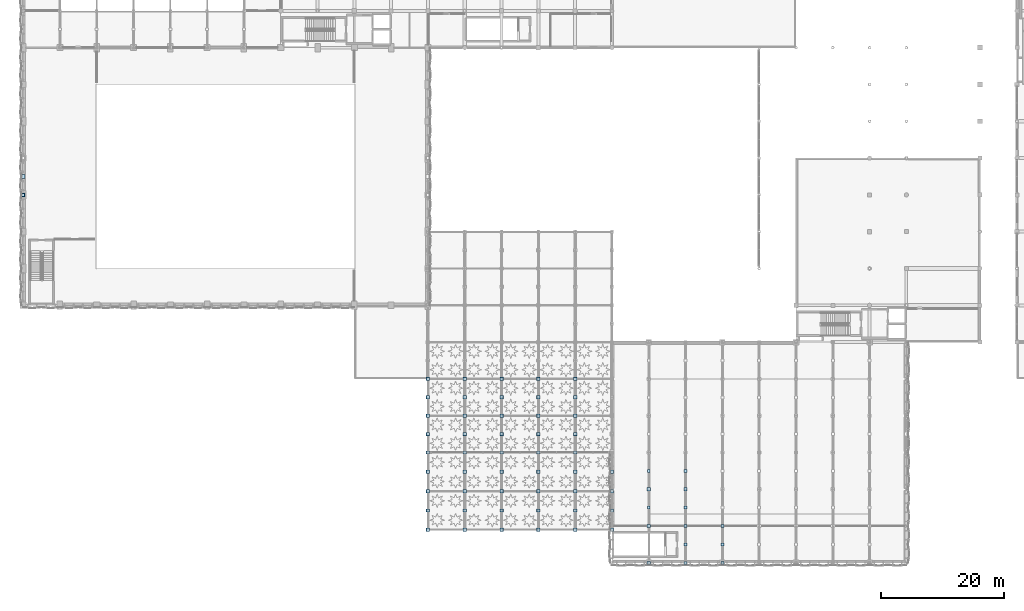
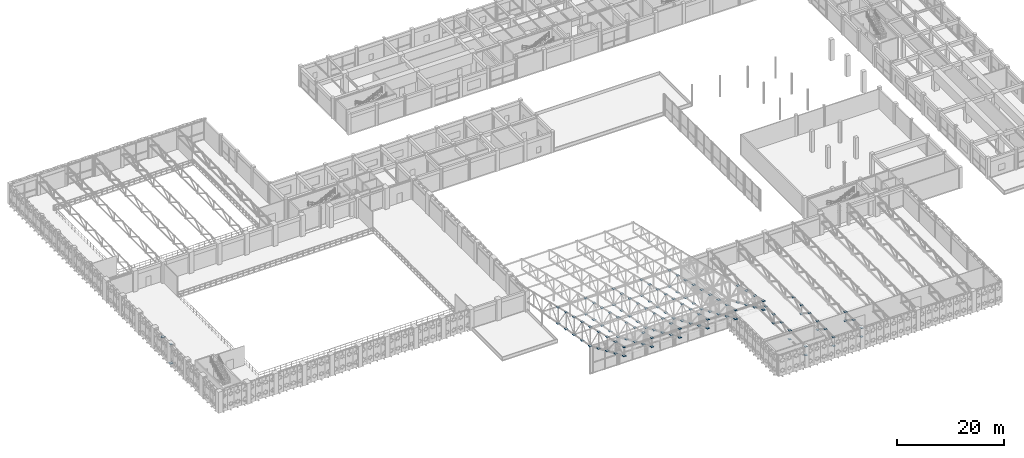
# One storey, part 91 of 123: 123 plates.
"""IFC4 building model written with IfcOpenShell, lengths in metres."""

from ifc_helpers import new_model, si_unit, direction, frame, origin, origin_2d, place, context, subcontext, project, spatial, rectangle, extrude, material, layer, layer_set, type_object, element, save


model = new_model("IFC4")

# Units and contexts
model_context = context("Model", 3, precision=1e-05, world=origin(), true_north=direction((0.0, 1.0)))
body_context = subcontext(model_context, "Body", "Model", "MODEL_VIEW")
ifc_project = project(units=[si_unit("LENGTHUNIT", "METRE"), si_unit("AREAUNIT", "SQUARE_METRE"), si_unit("VOLUMEUNIT", "CUBIC_METRE"), si_unit("PLANEANGLEUNIT", "RADIAN"), si_unit("MASSUNIT", "GRAM", prefix="KILO"), si_unit("THERMODYNAMICTEMPERATUREUNIT", "KELVIN"), si_unit("POWERUNIT", "WATT")], contexts=[model_context])

# Site, building, storey
site_placement = place(None, origin())
site = spatial("IfcSite", under=ifc_project, at=site_placement, CompositionType="ELEMENT")
building_placement = place(site_placement, origin())
building = spatial("IfcBuilding", under=site, at=building_placement, Name="Phaisarnlok Congress Hotel", CompositionType="ELEMENT")
storey_placement = place(building_placement, frame((0.0, 0.0, 15.0)))
storey = spatial("IfcBuildingStorey", under=building, at=storey_placement, Name="L03", CompositionType="ELEMENT", Elevation=15.0)

# Plates
ifc_material = material(Name="Steel S355", Category="steel")
ifc_layer_1 = layer(ifc_material, 0.01611328125, Name="Steel S355")
ifc_layer_set_1 = layer_set([ifc_layer_1], Name="Steel S355")
plate_type_1 = type_object("IfcPlateType", Name="PLT-GUS-650", PredefinedType="SHEET", material=ifc_layer_set_1)
for number, where, z_axis, x_axis, name in (
    (1, (0.0, 60.0, 0.141845703125), (0.0, 0.0, 1.0), (1.0, 0.0, 0.0), "Steel truss node plate NP-05 at NP-BF-A-L03-A"),
    (2, (0.0, 63.0, 4.322021484375), (0.0, 0.0, 1.0), (1.0, 0.0, 0.0), "Steel truss node plate NP-05 at NP-BF-A-L03-M"),
):
    element("IfcPlate", number, at=place(storey_placement, frame(where, z_axis=z_axis, x_axis=x_axis)), inside=storey, type_object=plate_type_1, Name=name, PredefinedType="SHEET", context=body_context, shape_type="SweptSolid", body=[
        extrude(rectangle(XDim=0.64990234375, YDim=0.64990234375, at=origin_2d()), origin(), (0.0, 0.0, 1.0), 0.01611328125),
    ])
ifc_layer_2 = layer(ifc_material, 0.02001953125, Name="Steel S355")
ifc_layer_set_2 = layer_set([ifc_layer_2], Name="Steel S355")
plate_type_2 = type_object("IfcPlateType", Name="PLT-NODE-480", PredefinedType="SHEET", material=ifc_layer_set_2)
for number, where, z_axis, x_axis, name in (
    (3, (102.0, 9.0, 4.619873046875), (0.0, 0.0, 1.0), (1.0, 0.0, 0.0), "Steel truss node plate NP-03 at NP-V2M-102-1"),
    (4, (102.0, 15.0, 4.619873046875), (0.0, 0.0, 1.0), (1.0, 0.0, 0.0), "Steel truss node plate NP-03 at NP-V2M-102-2"),
    (5, (108.0, 3.0, 4.619873046875), (0.0, 0.0, 1.0), (1.0, 0.0, 0.0), "Steel truss node plate NP-03 at NP-V2M-108-0"),
    (6, (108.0, 9.0, 4.619873046875), (0.0, 0.0, 1.0), (1.0, 0.0, 0.0), "Steel truss node plate NP-03 at NP-V2M-108-1"),
    (7, (108.0, 15.0, 4.619873046875), (0.0, 0.0, 1.0), (1.0, 0.0, 0.0), "Steel truss node plate NP-03 at NP-V2M-108-2"),
    (8, (114.0, 3.0, 4.619873046875), (0.0, 0.0, 1.0), (1.0, 0.0, 0.0), "Steel truss node plate NP-03 at NP-V2M-114-0"),
    (9, (0.0, 60.0, 4.43994140625), (0.0, 0.0, 1.0), (1.0, 0.0, 0.0), "Steel truss node plate NP-03 at NP-BF-A-L03-T1"),
):
    element("IfcPlate", number, at=place(storey_placement, frame(where, z_axis=z_axis, x_axis=x_axis)), inside=storey, type_object=plate_type_2, Name=name, PredefinedType="SHEET", context=body_context, shape_type="SweptSolid", body=[
        extrude(rectangle(XDim=0.47998046875, YDim=0.47998046875, at=origin_2d()), origin(), (0.0, 0.0, 1.0), 0.02001953125),
    ])
ifc_layer_3 = layer(ifc_material, 0.02490234375, Name="Steel S355")
ifc_layer_set_3 = layer_set([ifc_layer_3], Name="Steel S355")
plate_type_3 = type_object("IfcPlateType", Name="PLT-NODE-520", PredefinedType="SHEET", material=ifc_layer_set_3)
for number, where, z_axis, x_axis, name in (
    (10, (102.0, 0.0, 4.617431640625), (0.0, 0.0, 1.0), (1.0, 0.0, 0.0), "Steel truss node plate NP-02 at NP-V2T-102-0"),
    (11, (102.0, 0.0, 2.637451171875), (0.0, 0.0, 1.0), (1.0, 0.0, 0.0), "Steel truss node plate NP-02 at NP-V2B-102-0"),
    (12, (102.0, 6.0, 4.617431640625), (0.0, 0.0, 1.0), (1.0, 0.0, 0.0), "Steel truss node plate NP-02 at NP-V2T-102-1"),
    (13, (102.0, 6.0, 2.637451171875), (0.0, 0.0, 1.0), (1.0, 0.0, 0.0), "Steel truss node plate NP-02 at NP-V2B-102-1"),
    (14, (102.0, 12.0, 4.617431640625), (0.0, 0.0, 1.0), (1.0, 0.0, 0.0), "Steel truss node plate NP-02 at NP-V2T-102-2"),
    (15, (102.0, 12.0, 2.637451171875), (0.0, 0.0, 1.0), (1.0, 0.0, 0.0), "Steel truss node plate NP-02 at NP-V2B-102-2"),
    (16, (108.0, 0.0, 4.617431640625), (0.0, 0.0, 1.0), (1.0, 0.0, 0.0), "Steel truss node plate NP-02 at NP-V2T-108-0"),
    (17, (108.0, 0.0, 2.637451171875), (0.0, 0.0, 1.0), (1.0, 0.0, 0.0), "Steel truss node plate NP-02 at NP-V2B-108-0"),
    (18, (108.0, 6.0, 4.617431640625), (0.0, 0.0, 1.0), (1.0, 0.0, 0.0), "Steel truss node plate NP-02 at NP-V2T-108-1"),
    (19, (108.0, 6.0, 2.637451171875), (0.0, 0.0, 1.0), (1.0, 0.0, 0.0), "Steel truss node plate NP-02 at NP-V2B-108-1"),
    (20, (108.0, 12.0, 4.617431640625), (0.0, 0.0, 1.0), (1.0, 0.0, 0.0), "Steel truss node plate NP-02 at NP-V2T-108-2"),
    (21, (108.0, 12.0, 2.637451171875), (0.0, 0.0, 1.0), (1.0, 0.0, 0.0), "Steel truss node plate NP-02 at NP-V2B-108-2"),
    (22, (114.0, 0.0, 4.617431640625), (0.0, 0.0, 1.0), (1.0, 0.0, 0.0), "Steel truss node plate NP-02 at NP-V2T-114-0"),
    (23, (114.0, 0.0, 2.637451171875), (0.0, 0.0, 1.0), (1.0, 0.0, 0.0), "Steel truss node plate NP-02 at NP-V2B-114-0"),
    (24, (114.0, 6.0, 4.617431640625), (0.0, 0.0, 1.0), (1.0, 0.0, 0.0), "Steel truss node plate NP-02 at NP-V2T-114-1"),
    (25, (114.0, 6.0, 2.637451171875), (0.0, 0.0, 1.0), (1.0, 0.0, 0.0), "Steel truss node plate NP-02 at NP-V2B-114-1"),
    (26, (66.0, 30.0, 7.916015625), (0.0, 0.0, 1.0), (1.0, 0.0, 0.0), "Steel truss node plate NP-02 at NP-WRS-T-0-08"),
    (27, (66.0, 27.0, 8.632080078125), (0.0, 0.0, 1.0), (1.0, 0.0, 0.0), "Steel truss node plate NP-02 at NP-WRS-T-0-09"),
    (28, (66.0, 24.0, 9.34814453125), (0.0, 0.0, 1.0), (1.0, 0.0, 0.0), "Steel truss node plate NP-02 at NP-WRS-T-0-10"),
    (29, (66.0, 21.0, 10.064208984375), (0.0, 0.0, 1.0), (1.0, 0.0, 0.0), "Steel truss node plate NP-02 at NP-WRS-T-0-11"),
    (30, (66.0, 18.0, 10.780029296875), (0.0, 0.0, 1.0), (1.0, 0.0, 0.0), "Steel truss node plate NP-02 at NP-WRS-T-0-12"),
    (31, (66.0, 14.85009765625, 11.531982421875), (0.0, 0.0, 1.0), (1.0, 0.0, 0.0), "Steel truss node plate NP-02 at NP-WRS-T-0-13"),
    (32, (66.0, 11.699951171875, 12.283935546875), (0.0, 0.0, 1.0), (1.0, 0.0, 0.0), "Steel truss node plate NP-02 at NP-WRS-T-0-14"),
    (33, (66.0, 8.550048828125, 13.03564453125), (0.0, 0.0, 1.0), (1.0, 0.0, 0.0), "Steel truss node plate NP-02 at NP-WRS-T-0-15"),
    (34, (66.0, 5.39990234375, 13.78759765625), (0.0, 0.0, 1.0), (1.0, 0.0, 0.0), "Steel truss node plate NP-02 at NP-WRS-T-0-16"),
    (35, (72.0, 30.0, 7.916015625), (0.0, 0.0, 1.0), (1.0, 0.0, 0.0), "Steel truss node plate NP-02 at NP-WRS-T-1-08"),
    (36, (72.0, 27.0, 8.632080078125), (0.0, 0.0, 1.0), (1.0, 0.0, 0.0), "Steel truss node plate NP-02 at NP-WRS-T-1-09"),
    (37, (72.0, 24.0, 9.34814453125), (0.0, 0.0, 1.0), (1.0, 0.0, 0.0), "Steel truss node plate NP-02 at NP-WRS-T-1-10"),
    (38, (72.0, 21.0, 10.064208984375), (0.0, 0.0, 1.0), (1.0, 0.0, 0.0), "Steel truss node plate NP-02 at NP-WRS-T-1-11"),
    (39, (72.0, 18.0, 10.780029296875), (0.0, 0.0, 1.0), (1.0, 0.0, 0.0), "Steel truss node plate NP-02 at NP-WRS-T-1-12"),
    (40, (72.0, 14.85009765625, 11.531982421875), (0.0, 0.0, 1.0), (1.0, 0.0, 0.0), "Steel truss node plate NP-02 at NP-WRS-T-1-13"),
    (41, (72.0, 11.699951171875, 12.283935546875), (0.0, 0.0, 1.0), (1.0, 0.0, 0.0), "Steel truss node plate NP-02 at NP-WRS-T-1-14"),
    (42, (72.0, 8.550048828125, 13.03564453125), (0.0, 0.0, 1.0), (1.0, 0.0, 0.0), "Steel truss node plate NP-02 at NP-WRS-T-1-15"),
    (43, (72.0, 5.39990234375, 13.78759765625), (0.0, 0.0, 1.0), (1.0, 0.0, 0.0), "Steel truss node plate NP-02 at NP-WRS-T-1-16"),
    (44, (78.0, 30.0, 7.916015625), (0.0, 0.0, 1.0), (1.0, 0.0, 0.0), "Steel truss node plate NP-02 at NP-WRS-T-2-08"),
    (45, (78.0, 27.0, 8.632080078125), (0.0, 0.0, 1.0), (1.0, 0.0, 0.0), "Steel truss node plate NP-02 at NP-WRS-T-2-09"),
    (46, (78.0, 24.0, 9.34814453125), (0.0, 0.0, 1.0), (1.0, 0.0, 0.0), "Steel truss node plate NP-02 at NP-WRS-T-2-10"),
    (47, (78.0, 21.0, 10.064208984375), (0.0, 0.0, 1.0), (1.0, 0.0, 0.0), "Steel truss node plate NP-02 at NP-WRS-T-2-11"),
    (48, (78.0, 18.0, 10.780029296875), (0.0, 0.0, 1.0), (1.0, 0.0, 0.0), "Steel truss node plate NP-02 at NP-WRS-T-2-12"),
    (49, (78.0, 14.85009765625, 11.531982421875), (0.0, 0.0, 1.0), (1.0, 0.0, 0.0), "Steel truss node plate NP-02 at NP-WRS-T-2-13"),
    (50, (78.0, 11.699951171875, 12.283935546875), (0.0, 0.0, 1.0), (1.0, 0.0, 0.0), "Steel truss node plate NP-02 at NP-WRS-T-2-14"),
    (51, (78.0, 8.550048828125, 13.03564453125), (0.0, 0.0, 1.0), (1.0, 0.0, 0.0), "Steel truss node plate NP-02 at NP-WRS-T-2-15"),
    (52, (78.0, 5.39990234375, 13.78759765625), (0.0, 0.0, 1.0), (1.0, 0.0, 0.0), "Steel truss node plate NP-02 at NP-WRS-T-2-16"),
    (53, (84.0, 30.0, 7.916015625), (0.0, 0.0, 1.0), (1.0, 0.0, 0.0), "Steel truss node plate NP-02 at NP-WRS-T-3-08"),
    (54, (84.0, 27.0, 8.632080078125), (0.0, 0.0, 1.0), (1.0, 0.0, 0.0), "Steel truss node plate NP-02 at NP-WRS-T-3-09"),
    (55, (84.0, 24.0, 9.34814453125), (0.0, 0.0, 1.0), (1.0, 0.0, 0.0), "Steel truss node plate NP-02 at NP-WRS-T-3-10"),
    (56, (84.0, 21.0, 10.064208984375), (0.0, 0.0, 1.0), (1.0, 0.0, 0.0), "Steel truss node plate NP-02 at NP-WRS-T-3-11"),
    (57, (84.0, 18.0, 10.780029296875), (0.0, 0.0, 1.0), (1.0, 0.0, 0.0), "Steel truss node plate NP-02 at NP-WRS-T-3-12"),
    (58, (84.0, 14.85009765625, 11.531982421875), (0.0, 0.0, 1.0), (1.0, 0.0, 0.0), "Steel truss node plate NP-02 at NP-WRS-T-3-13"),
    (59, (84.0, 11.699951171875, 12.283935546875), (0.0, 0.0, 1.0), (1.0, 0.0, 0.0), "Steel truss node plate NP-02 at NP-WRS-T-3-14"),
    (60, (84.0, 8.550048828125, 13.03564453125), (0.0, 0.0, 1.0), (1.0, 0.0, 0.0), "Steel truss node plate NP-02 at NP-WRS-T-3-15"),
    (61, (84.0, 5.39990234375, 13.78759765625), (0.0, 0.0, 1.0), (1.0, 0.0, 0.0), "Steel truss node plate NP-02 at NP-WRS-T-3-16"),
    (62, (90.0, 30.0, 7.916015625), (0.0, 0.0, 1.0), (1.0, 0.0, 0.0), "Steel truss node plate NP-02 at NP-WRS-T-4-08"),
    (63, (90.0, 27.0, 8.632080078125), (0.0, 0.0, 1.0), (1.0, 0.0, 0.0), "Steel truss node plate NP-02 at NP-WRS-T-4-09"),
    (64, (90.0, 24.0, 9.34814453125), (0.0, 0.0, 1.0), (1.0, 0.0, 0.0), "Steel truss node plate NP-02 at NP-WRS-T-4-10"),
    (65, (90.0, 21.0, 10.064208984375), (0.0, 0.0, 1.0), (1.0, 0.0, 0.0), "Steel truss node plate NP-02 at NP-WRS-T-4-11"),
    (66, (90.0, 18.0, 10.780029296875), (0.0, 0.0, 1.0), (1.0, 0.0, 0.0), "Steel truss node plate NP-02 at NP-WRS-T-4-12"),
    (67, (90.0, 14.85009765625, 11.531982421875), (0.0, 0.0, 1.0), (1.0, 0.0, 0.0), "Steel truss node plate NP-02 at NP-WRS-T-4-13"),
    (68, (90.0, 11.699951171875, 12.283935546875), (0.0, 0.0, 1.0), (1.0, 0.0, 0.0), "Steel truss node plate NP-02 at NP-WRS-T-4-14"),
    (69, (90.0, 8.550048828125, 13.03564453125), (0.0, 0.0, 1.0), (1.0, 0.0, 0.0), "Steel truss node plate NP-02 at NP-WRS-T-4-15"),
    (70, (90.0, 5.39990234375, 13.78759765625), (0.0, 0.0, 1.0), (1.0, 0.0, 0.0), "Steel truss node plate NP-02 at NP-WRS-T-4-16"),
    (71, (96.0, 14.85009765625, 11.531982421875), (0.0, 0.0, 1.0), (1.0, 0.0, 0.0), "Steel truss node plate NP-02 at NP-WRS-T-5-13"),
    (72, (96.0, 11.699951171875, 12.283935546875), (0.0, 0.0, 1.0), (1.0, 0.0, 0.0), "Steel truss node plate NP-02 at NP-WRS-T-5-14"),
    (73, (96.0, 8.550048828125, 13.03564453125), (0.0, 0.0, 1.0), (1.0, 0.0, 0.0), "Steel truss node plate NP-02 at NP-WRS-T-5-15"),
    (74, (96.0, 5.39990234375, 13.78759765625), (0.0, 0.0, 1.0), (1.0, 0.0, 0.0), "Steel truss node plate NP-02 at NP-WRS-T-5-16"),
):
    element("IfcPlate", number, at=place(storey_placement, frame(where, z_axis=z_axis, x_axis=x_axis)), inside=storey, type_object=plate_type_3, Name=name, PredefinedType="SHEET", context=body_context, shape_type="SweptSolid", body=[
        extrude(rectangle(XDim=0.52001953125, YDim=0.52001953125, at=origin_2d()), origin(), (0.0, 0.0, 1.0), 0.02490234375),
    ])
ifc_layer_4 = layer(ifc_material, 0.030029296875, Name="Steel S355")
ifc_layer_set_4 = layer_set([ifc_layer_4], Name="Steel S355")
plate_type_4 = type_object("IfcPlateType", Name="PLT-NODE-560", PredefinedType="SHEET", material=ifc_layer_set_4)
for number, where, z_axis, x_axis, name in (
    (75, (66.0, 18.0, 6.384765625), (0.0, 0.0, 1.0), (1.0, 0.0, 0.0), "Steel truss node plate NP-01 at NP-WRS-COL-066"),
    (76, (72.0, 18.0, 6.384765625), (0.0, 0.0, 1.0), (1.0, 0.0, 0.0), "Steel truss node plate NP-01 at NP-WRS-COL-072"),
    (77, (78.0, 18.0, 6.384765625), (0.0, 0.0, 1.0), (1.0, 0.0, 0.0), "Steel truss node plate NP-01 at NP-WRS-COL-078"),
    (78, (84.0, 18.0, 6.384765625), (0.0, 0.0, 1.0), (1.0, 0.0, 0.0), "Steel truss node plate NP-01 at NP-WRS-COL-084"),
    (79, (90.0, 18.0, 6.384765625), (0.0, 0.0, 1.0), (1.0, 0.0, 0.0), "Steel truss node plate NP-01 at NP-WRS-COL-090"),
    (80, (66.0, 30.0, 4.25146484375), (0.0, 0.0, 1.0), (1.0, 0.0, 0.0), "Steel truss node plate NP-01 at NP-WRS-B-0-08"),
    (81, (66.0, 27.0, 4.78515625), (0.0, 0.0, 1.0), (1.0, 0.0, 0.0), "Steel truss node plate NP-01 at NP-WRS-B-0-09"),
    (82, (66.0, 24.0, 5.318359375), (0.0, 0.0, 1.0), (1.0, 0.0, 0.0), "Steel truss node plate NP-01 at NP-WRS-B-0-10"),
    (83, (66.0, 21.0, 5.8515625), (0.0, 0.0, 1.0), (1.0, 0.0, 0.0), "Steel truss node plate NP-01 at NP-WRS-B-0-11"),
    (84, (66.0, 14.85009765625, 7.73486328125), (0.0, 0.0, 1.0), (1.0, 0.0, 0.0), "Steel truss node plate NP-01 at NP-WRS-B-0-13"),
    (85, (66.0, 11.699951171875, 9.0849609375), (0.0, 0.0, 1.0), (1.0, 0.0, 0.0), "Steel truss node plate NP-01 at NP-WRS-B-0-14"),
    (86, (66.0, 8.550048828125, 10.43505859375), (0.0, 0.0, 1.0), (1.0, 0.0, 0.0), "Steel truss node plate NP-01 at NP-WRS-B-0-15"),
    (87, (66.0, 5.39990234375, 11.78515625), (0.0, 0.0, 1.0), (1.0, 0.0, 0.0), "Steel truss node plate NP-01 at NP-WRS-B-0-16"),
    (88, (72.0, 30.0, 4.25146484375), (0.0, 0.0, 1.0), (1.0, 0.0, 0.0), "Steel truss node plate NP-01 at NP-WRS-B-1-08"),
    (89, (72.0, 27.0, 4.78515625), (0.0, 0.0, 1.0), (1.0, 0.0, 0.0), "Steel truss node plate NP-01 at NP-WRS-B-1-09"),
    (90, (72.0, 24.0, 5.318359375), (0.0, 0.0, 1.0), (1.0, 0.0, 0.0), "Steel truss node plate NP-01 at NP-WRS-B-1-10"),
    (91, (72.0, 21.0, 5.8515625), (0.0, 0.0, 1.0), (1.0, 0.0, 0.0), "Steel truss node plate NP-01 at NP-WRS-B-1-11"),
    (92, (72.0, 14.85009765625, 7.73486328125), (0.0, 0.0, 1.0), (1.0, 0.0, 0.0), "Steel truss node plate NP-01 at NP-WRS-B-1-13"),
    (93, (72.0, 11.699951171875, 9.0849609375), (0.0, 0.0, 1.0), (1.0, 0.0, 0.0), "Steel truss node plate NP-01 at NP-WRS-B-1-14"),
    (94, (72.0, 8.550048828125, 10.43505859375), (0.0, 0.0, 1.0), (1.0, 0.0, 0.0), "Steel truss node plate NP-01 at NP-WRS-B-1-15"),
    (95, (72.0, 5.39990234375, 11.78515625), (0.0, 0.0, 1.0), (1.0, 0.0, 0.0), "Steel truss node plate NP-01 at NP-WRS-B-1-16"),
    (96, (78.0, 30.0, 4.25146484375), (0.0, 0.0, 1.0), (1.0, 0.0, 0.0), "Steel truss node plate NP-01 at NP-WRS-B-2-08"),
    (97, (78.0, 27.0, 4.78515625), (0.0, 0.0, 1.0), (1.0, 0.0, 0.0), "Steel truss node plate NP-01 at NP-WRS-B-2-09"),
    (98, (78.0, 24.0, 5.318359375), (0.0, 0.0, 1.0), (1.0, 0.0, 0.0), "Steel truss node plate NP-01 at NP-WRS-B-2-10"),
    (99, (78.0, 21.0, 5.8515625), (0.0, 0.0, 1.0), (1.0, 0.0, 0.0), "Steel truss node plate NP-01 at NP-WRS-B-2-11"),
    (100, (78.0, 14.85009765625, 7.73486328125), (0.0, 0.0, 1.0), (1.0, 0.0, 0.0), "Steel truss node plate NP-01 at NP-WRS-B-2-13"),
    (101, (78.0, 11.699951171875, 9.0849609375), (0.0, 0.0, 1.0), (1.0, 0.0, 0.0), "Steel truss node plate NP-01 at NP-WRS-B-2-14"),
    (102, (78.0, 8.550048828125, 10.43505859375), (0.0, 0.0, 1.0), (1.0, 0.0, 0.0), "Steel truss node plate NP-01 at NP-WRS-B-2-15"),
    (103, (78.0, 5.39990234375, 11.78515625), (0.0, 0.0, 1.0), (1.0, 0.0, 0.0), "Steel truss node plate NP-01 at NP-WRS-B-2-16"),
    (104, (84.0, 30.0, 4.25146484375), (0.0, 0.0, 1.0), (1.0, 0.0, 0.0), "Steel truss node plate NP-01 at NP-WRS-B-3-08"),
    (105, (84.0, 27.0, 4.78515625), (0.0, 0.0, 1.0), (1.0, 0.0, 0.0), "Steel truss node plate NP-01 at NP-WRS-B-3-09"),
    (106, (84.0, 24.0, 5.318359375), (0.0, 0.0, 1.0), (1.0, 0.0, 0.0), "Steel truss node plate NP-01 at NP-WRS-B-3-10"),
    (107, (84.0, 21.0, 5.8515625), (0.0, 0.0, 1.0), (1.0, 0.0, 0.0), "Steel truss node plate NP-01 at NP-WRS-B-3-11"),
    (108, (84.0, 14.85009765625, 7.73486328125), (0.0, 0.0, 1.0), (1.0, 0.0, 0.0), "Steel truss node plate NP-01 at NP-WRS-B-3-13"),
    (109, (84.0, 11.699951171875, 9.0849609375), (0.0, 0.0, 1.0), (1.0, 0.0, 0.0), "Steel truss node plate NP-01 at NP-WRS-B-3-14"),
    (110, (84.0, 8.550048828125, 10.43505859375), (0.0, 0.0, 1.0), (1.0, 0.0, 0.0), "Steel truss node plate NP-01 at NP-WRS-B-3-15"),
    (111, (84.0, 5.39990234375, 11.78515625), (0.0, 0.0, 1.0), (1.0, 0.0, 0.0), "Steel truss node plate NP-01 at NP-WRS-B-3-16"),
    (112, (90.0, 30.0, 4.25146484375), (0.0, 0.0, 1.0), (1.0, 0.0, 0.0), "Steel truss node plate NP-01 at NP-WRS-B-4-08"),
    (113, (90.0, 27.0, 4.78515625), (0.0, 0.0, 1.0), (1.0, 0.0, 0.0), "Steel truss node plate NP-01 at NP-WRS-B-4-09"),
    (114, (90.0, 24.0, 5.318359375), (0.0, 0.0, 1.0), (1.0, 0.0, 0.0), "Steel truss node plate NP-01 at NP-WRS-B-4-10"),
    (115, (90.0, 21.0, 5.8515625), (0.0, 0.0, 1.0), (1.0, 0.0, 0.0), "Steel truss node plate NP-01 at NP-WRS-B-4-11"),
    (116, (90.0, 14.85009765625, 7.73486328125), (0.0, 0.0, 1.0), (1.0, 0.0, 0.0), "Steel truss node plate NP-01 at NP-WRS-B-4-13"),
    (117, (90.0, 11.699951171875, 9.0849609375), (0.0, 0.0, 1.0), (1.0, 0.0, 0.0), "Steel truss node plate NP-01 at NP-WRS-B-4-14"),
    (118, (90.0, 8.550048828125, 10.43505859375), (0.0, 0.0, 1.0), (1.0, 0.0, 0.0), "Steel truss node plate NP-01 at NP-WRS-B-4-15"),
    (119, (90.0, 5.39990234375, 11.78515625), (0.0, 0.0, 1.0), (1.0, 0.0, 0.0), "Steel truss node plate NP-01 at NP-WRS-B-4-16"),
    (120, (96.0, 14.85009765625, 7.73486328125), (0.0, 0.0, 1.0), (1.0, 0.0, 0.0), "Steel truss node plate NP-01 at NP-WRS-B-5-13"),
    (121, (96.0, 11.699951171875, 9.0849609375), (0.0, 0.0, 1.0), (1.0, 0.0, 0.0), "Steel truss node plate NP-01 at NP-WRS-B-5-14"),
    (122, (96.0, 8.550048828125, 10.43505859375), (0.0, 0.0, 1.0), (1.0, 0.0, 0.0), "Steel truss node plate NP-01 at NP-WRS-B-5-15"),
    (123, (96.0, 5.39990234375, 11.78515625), (0.0, 0.0, 1.0), (1.0, 0.0, 0.0), "Steel truss node plate NP-01 at NP-WRS-B-5-16"),
):
    element("IfcPlate", number, at=place(storey_placement, frame(where, z_axis=z_axis, x_axis=x_axis)), inside=storey, type_object=plate_type_4, Name=name, PredefinedType="SHEET", context=body_context, shape_type="SweptSolid", body=[
        extrude(rectangle(XDim=0.56005859375, YDim=0.56005859375, at=origin_2d()), origin(), (0.0, 0.0, 1.0), 0.030029296875),
    ])

save(model, "model.ifc")
